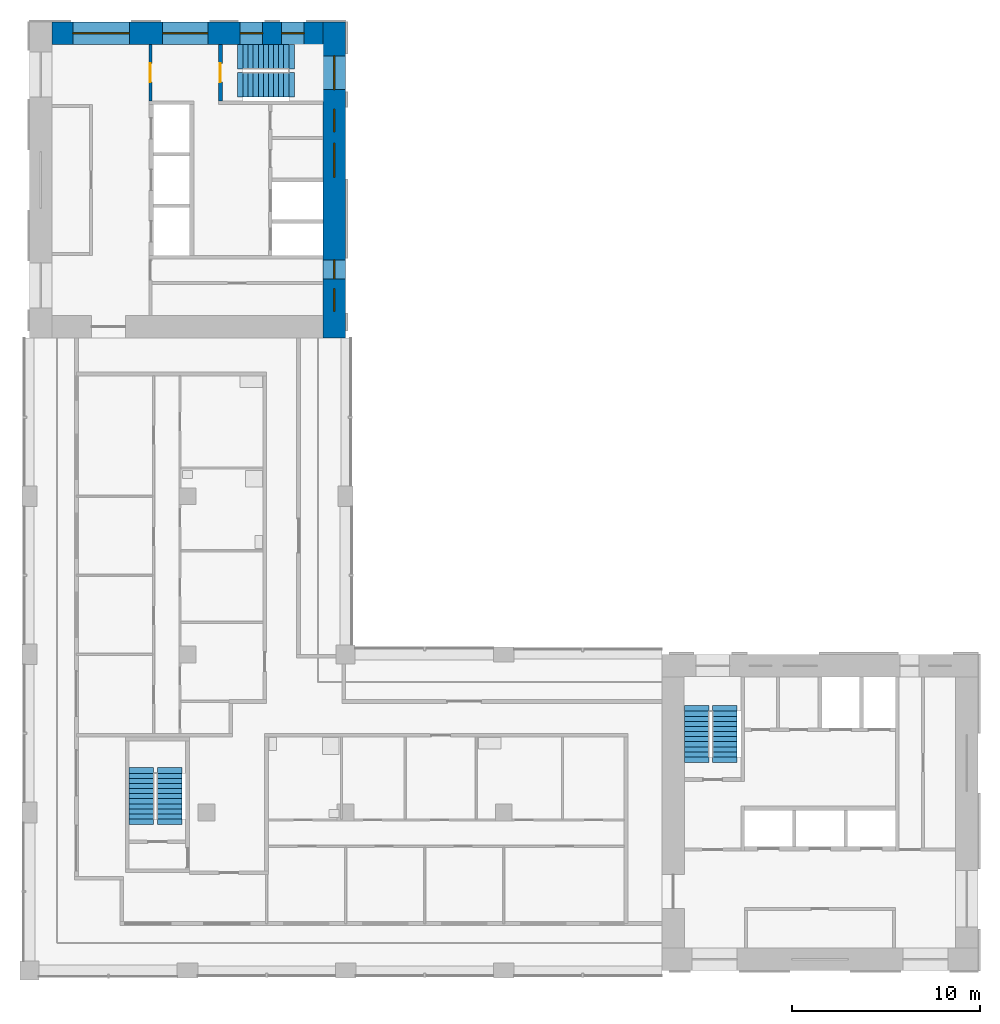
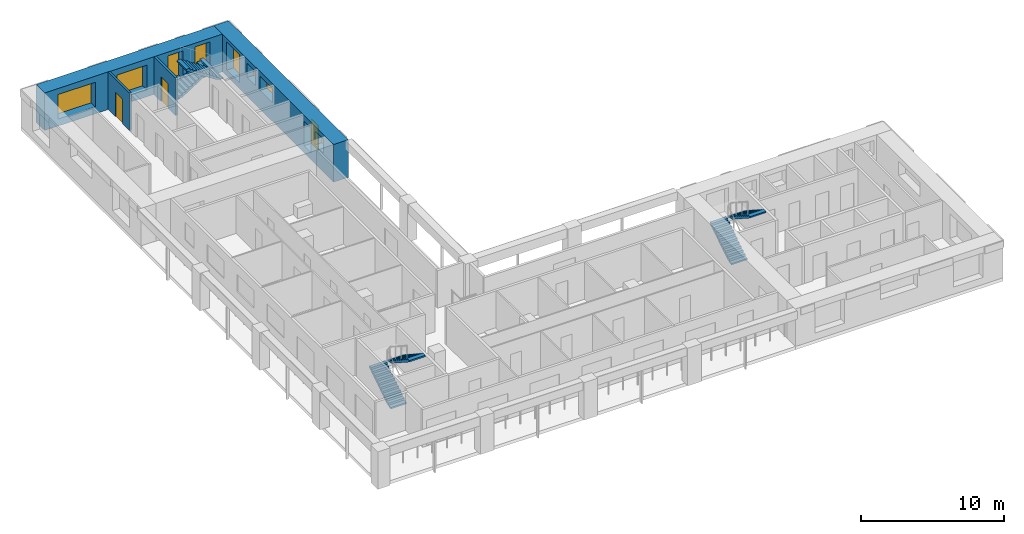
# One storey, part 6 of 9: 9 windows, 6 stair flights, 4 walls, 2 doors, 11 openings, 3 elements without a shape of their own.
"""IFC4 building model written with IfcOpenShell, lengths in metres."""

import ifcopenshell
import ifcopenshell.guid

model = None  # the IFC model being written
_history = None  # IfcOwnerHistory: only IFC2X3 demands one
_inside = {}  # id of a spatial element -> (the spatial element, [elements in it])
_under = {}  # id of a project, library or spatial element -> (it, [spatial elements below it])
_declared = {}  # id of a project -> (the project, [libraries it declares])
_typed = {}  # id of a type object -> (the type object, [elements of that type])
_made_of = {}  # id of a material, layer set ... -> (it, [elements and type objects made of it])


def new_model(schema):
    """Start an empty IFC model of exactly this schema.

    Asked for "IFC4X3", IfcOpenShell would pick the latest addendum, in which some entities
    have other attributes; the version numbers below select the first issue.
    IFC2X3 requires an IfcOwnerHistory on every rooted entity: one is made here for all.
    """
    global model, _history
    if schema == "IFC4X3":
        model = ifcopenshell.file(schema_version=(4, 3, 0, 0))
    else:
        model = ifcopenshell.file(schema=schema)
    _inside.clear()
    _under.clear()
    _declared.clear()
    _typed.clear()
    _made_of.clear()
    _history = None
    if model.schema == "IFC2X3":
        org = make("IfcOrganization", Name="unknown")
        user = make(
            "IfcPersonAndOrganization",
            ThePerson=make("IfcPerson", FamilyName="unknown"),
            TheOrganization=org,
        )
        app = make(
            "IfcApplication",
            ApplicationDeveloper=org,
            Version="unknown",
            ApplicationFullName="unknown",
            ApplicationIdentifier="unknown",
        )
        _history = make(
            "IfcOwnerHistory",
            OwningUser=user,
            OwningApplication=app,
            ChangeAction="ADDED",
            CreationDate=0,
        )
    return model


def make(cls, **values):
    """One entity of the class cls with the attributes given. An attribute that is None is left unset."""
    return model.create_entity(
        cls, **{name: value for name, value in values.items() if value is not None}
    )


def rooted(cls, **values):
    """An entity with a GlobalId (a new one), such as an element, a storey or a relation."""
    return make(cls, GlobalId=ifcopenshell.guid.new(), OwnerHistory=_history, **values)


def si_unit(unit_type, name, prefix=None):
    """IfcSIUnit, for example si_unit("LENGTHUNIT", "METRE", prefix="MILLI")."""
    return make("IfcSIUnit", UnitType=unit_type, Prefix=prefix, Name=name)


def assignment(units):
    """IfcUnitAssignment: the units of a project."""
    return None if units is None else make("IfcUnitAssignment", Units=units)


def point(xyz):
    """IfcCartesianPoint."""
    return None if xyz is None else make("IfcCartesianPoint", Coordinates=xyz)


def direction(xyz):
    """IfcDirection."""
    return None if xyz is None else make("IfcDirection", DirectionRatios=xyz)


def frame(location, z_axis=None, x_axis=None):
    """IfcAxis2Placement3D, a coordinate frame: its origin and axes. An axis left out is left unset."""
    return make(
        "IfcAxis2Placement3D",
        Location=point(location),
        Axis=direction(z_axis),
        RefDirection=direction(x_axis),
    )


def frame_2d(location, x_axis=None):
    """IfcAxis2Placement2D, a coordinate frame in the plane: its origin and x axis."""
    return make(
        "IfcAxis2Placement2D", Location=point(location), RefDirection=direction(x_axis)
    )


def origin():
    """The frame at (0, 0, 0) with its axes left unset."""
    return frame((0.0, 0.0, 0.0))


def place(relative_to, where):
    """IfcLocalPlacement: puts the frame where relative to a parent placement (None: the world)."""
    return make(
        "IfcLocalPlacement", PlacementRelTo=relative_to, RelativePlacement=where
    )


def context(
    kind, dimensions, precision=None, world=None, true_north=None, identifier=None
):
    """IfcGeometricRepresentationContext, for example the 3D "Model" context."""
    return make(
        "IfcGeometricRepresentationContext",
        ContextIdentifier=identifier,
        ContextType=kind,
        CoordinateSpaceDimension=dimensions,
        Precision=precision,
        WorldCoordinateSystem=world,
        TrueNorth=true_north,
    )


def subcontext(parent, identifier, kind, view, scale=None):
    """IfcGeometricRepresentationSubContext, for example "Body" below "Model"."""
    return make(
        "IfcGeometricRepresentationSubContext",
        ContextIdentifier=identifier,
        ContextType=kind,
        ParentContext=parent,
        TargetScale=scale,
        TargetView=view,
    )


def project(units=None, contexts=None):
    """IfcProject with its units and contexts."""
    return rooted(
        "IfcProject",
        Name="project",
        RepresentationContexts=contexts,
        UnitsInContext=assignment(units),
    )


def spatial(cls, under=None, at=None, **own):
    """A site, building, storey or space (cls), placed at a placement, below another one or the project."""
    s = rooted(cls, ObjectPlacement=at, **own)
    if under is not None:
        _under.setdefault(under.id(), (under, []))[1].append(s)
    return s


def polyline(points):
    """IfcPolyline through the points."""
    return make("IfcPolyline", Points=[point(p) for p in points])


def profile(cls, at=None, kind="AREA", **sizes):
    """A parametric profile (cls). Its sizes go by their IFC names, for example OverallWidth=200.0."""
    return make(cls, ProfileType=kind, Position=at, **sizes)


def rectangle(**sizes):
    """IfcRectangleProfileDef."""
    return profile("IfcRectangleProfileDef", **sizes)


def outline(outer, holes=None, kind="AREA"):
    """IfcArbitraryClosedProfileDef: a profile drawn as a closed curve; with holes, ...WithVoids."""
    if holes is None:
        return make("IfcArbitraryClosedProfileDef", ProfileType=kind, OuterCurve=outer)
    return make(
        "IfcArbitraryProfileDefWithVoids",
        ProfileType=kind,
        OuterCurve=outer,
        InnerCurves=holes,
    )


def extrude(swept, where, along, depth):
    """IfcExtrudedAreaSolid: the profile swept, set in the frame where, extruded along a direction by depth."""
    return make(
        "IfcExtrudedAreaSolid",
        SweptArea=swept,
        Position=where,
        ExtrudedDirection=direction(along),
        Depth=depth,
    )


def shape(context_of_items, identifier, shape_type, items):
    """IfcShapeRepresentation: the items that make up one representation, for example the "Body"."""
    return make(
        "IfcShapeRepresentation",
        ContextOfItems=context_of_items,
        RepresentationIdentifier=identifier,
        RepresentationType=shape_type,
        Items=items,
    )


def material(Name=None, Category=None):
    """IfcMaterial."""
    return make("IfcMaterial", Name=Name, Category=Category)


def layer(
    of_material, thickness, ventilated=None, Name=None, Category=None, Priority=None
):
    """IfcMaterialLayer: one layer of a wall or slab, of a material (None: an air gap)."""
    return make(
        "IfcMaterialLayer",
        Material=of_material,
        LayerThickness=thickness,
        IsVentilated=ventilated,
        Name=Name,
        Category=Category,
        Priority=Priority,
    )


def layer_set(layers, Name=None):
    """IfcMaterialLayerSet."""
    return make("IfcMaterialLayerSet", MaterialLayers=layers, LayerSetName=Name)


def made_of(thing, what):
    """Note that an element or type object is made of a material, layer set ...; save() writes the relation."""
    if what is not None:
        _made_of.setdefault(what.id(), (what, []))[1].append(thing)
    return thing


def type_object(cls, material=None, **own):
    """A type object (cls), such as IfcWallType, which elements share."""
    return made_of(rooted(cls, **own), material)


def element(
    cls,
    number,
    at=None,
    inside=None,
    cuts=None,
    type_object=None,
    material=None,
    context=None,
    identifier="Body",
    shape_type=None,
    held_by="IfcProductDefinitionShape",
    body=None,
    shapes=None,
    **own,
):
    """One element of the class cls, such as IfcWall. Its Tag is "e" and its number.

    at: its placement. inside: the storey or other place that contains it. cuts: it is an
    opening in that element (IfcRelVoidsElement). A single representation is given by context,
    identifier, shape_type and body (its items); several are given by shapes. held_by: the class
    of the entity that holds the representations. save() writes the other relations.
    """
    e = rooted(cls, Tag="e%d" % number, ObjectPlacement=at, **own)
    if body is not None:
        shapes = [shape(context, identifier, shape_type, body)]
    if shapes is not None:
        e.Representation = make(held_by, Representations=shapes)
    if inside is not None:
        _inside.setdefault(inside.id(), (inside, []))[1].append(e)
    if cuts is not None:
        rooted(
            "IfcRelVoidsElement", RelatingBuildingElement=cuts, RelatedOpeningElement=e
        )
    if type_object is not None:
        _typed.setdefault(type_object.id(), (type_object, []))[1].append(e)
    return made_of(e, material)


def fill(opening, filler):
    """IfcRelFillsElement: the door or window that sits in an opening."""
    return rooted(
        "IfcRelFillsElement",
        RelatingOpeningElement=opening,
        RelatedBuildingElement=filler,
    )


def aggregate(whole, parts):
    """IfcRelAggregates: a whole, such as a stair, and the parts it consists of."""
    return rooted("IfcRelAggregates", RelatingObject=whole, RelatedObjects=parts)


def save(model, path):
    """Write the relations noted so far, then the file.

    IfcRelAggregates (storeys below a building ...), IfcRelContainedInSpatialStructure (elements
    in a storey), IfcRelDefinesByType, IfcRelAssociatesMaterial and IfcRelDeclares: one each for
    every whole, place, type object, material and project.
    """
    for whole, parts in _under.values():
        aggregate(whole, parts)
    for where, things in _inside.values():
        rooted(
            "IfcRelContainedInSpatialStructure",
            RelatedElements=things,
            RelatingStructure=where,
        )
    for kind, things in _typed.values():
        rooted("IfcRelDefinesByType", RelatedObjects=things, RelatingType=kind)
    for what, things in _made_of.values():
        rooted("IfcRelAssociatesMaterial", RelatedObjects=things, RelatingMaterial=what)
    for by, libraries in _declared.values():
        rooted("IfcRelDeclares", RelatingContext=by, RelatedDefinitions=libraries)
    model.write(path)


model = new_model("IFC4")

# Units and contexts
model_context = context("Model", 3, precision=1e-05, world=origin(), true_north=direction((0.0, 1.0)))
body_context = subcontext(model_context, "Body", "Model", "MODEL_VIEW")
ifc_project = project(units=[si_unit("LENGTHUNIT", "METRE"), si_unit("AREAUNIT", "SQUARE_METRE"), si_unit("VOLUMEUNIT", "CUBIC_METRE"), si_unit("PLANEANGLEUNIT", "RADIAN"), si_unit("MASSUNIT", "GRAM", prefix="KILO")], contexts=[model_context])

# Site, building, storey
site_placement = place(None, origin())
site = spatial("IfcSite", under=ifc_project, at=site_placement, CompositionType="ELEMENT")
building_placement = place(site_placement, origin())
building = spatial("IfcBuilding", under=site, at=building_placement, Name="Vermilion Gate Residences", CompositionType="ELEMENT")
storey_placement = place(building_placement, frame((0.0, 0.0, 245.699951171875)))
storey = spatial("IfcBuildingStorey", under=building, at=storey_placement, Name="L64", CompositionType="ELEMENT", Elevation=245.699951171875)

# Wall, opening, door
ifc_material_1 = material(Name="Masonry blockwork", Category="masonry")
ifc_layer_1 = layer(ifc_material_1, 0.14990234375)
ifc_layer_set_1 = layer_set([ifc_layer_1], Name="BLOCKWORK PARTITION 150 EI 120")
wall_type_1 = type_object("IfcWallType", Name="BLOCKWORK PARTITION 150 EI 120", PredefinedType="PARTITIONING", material=ifc_layer_set_1)
wall_1_placement = place(storey_placement, frame((14.824951171875, 57.60009765625, 0.0), z_axis=(0.0, 0.0, 1.0), x_axis=(0.0, -1.0, 0.0)))
wall_1 = element("IfcWall", 1, at=wall_1_placement, inside=storey, type_object=wall_type_1, Name="Core room partition B64-VW-S", PredefinedType="PARTITIONING", context=body_context, shape_type="SweptSolid", body=[
    extrude(rectangle(XDim=3.0, YDim=0.14990234375, at=frame_2d((1.5, 0.0))), origin(), (0.0, 0.0, 1.0), 3.219970703125),
])
opening_1_placement = place(wall_1_placement, frame((1.0, 0.0, 0.0)))
opening_1 = element("IfcOpeningElement", 2, at=opening_1_placement, cuts=wall_1, Name="Opening DK64110", PredefinedType="OPENING", context=body_context, shape_type="SweptSolid", body=[
    extrude(rectangle(XDim=1.0, YDim=2.10009765625, at=frame_2d((0.5, 1.050048828125))), frame((0.0, 0.0849609375, 0.0), z_axis=(0.0, -1.0, 0.0), x_axis=(1.0, 0.0, 0.0)), (0.0, 0.0, 1.0), 0.169921875),
])
ifc_material_2 = material(Name="Steel", Category="steel")
door_type = type_object("IfcDoorType", Name="FIRE DOOR FD60 1000 X 2100", OperationType="SINGLE_SWING_LEFT", PredefinedType="DOOR", material=ifc_material_2)
door_1_placement = place(opening_1_placement, frame((1.0, 0.0, 0.0), z_axis=(0.0, 0.0, 1.0), x_axis=(-1.0, 0.0, 0.0)))
door_1 = element("IfcDoor", 3, at=door_1_placement, inside=storey, type_object=door_type, Name="Stair vestibule door B64", OperationType="SINGLE_SWING_RIGHT", OverallHeight=2.10009765625, OverallWidth=1.0, PredefinedType="DOOR", context=body_context, shape_type="SweptSolid", body=[
    extrude(rectangle(XDim=1.0, YDim=2.10009765625, at=frame_2d((0.5, 1.050048828125))), frame((0.0, 0.02490234375, 0.0), z_axis=(0.0, -1.0, 0.0), x_axis=(1.0, 0.0, 0.0)), (0.0, 0.0, 1.0), 0.050048828125),
])
fill(opening_1, door_1)

ifc_material_3 = material(Name="Concrete C60", Category="concrete")
ifc_layer_2 = layer(ifc_material_3, 0.199951171875)
ifc_layer_set_2 = layer_set([ifc_layer_2], Name="RC CORE INTERNAL WALL 200 C60")
wall_type_2 = type_object("IfcWallType", Name="RC CORE INTERNAL WALL 200 C60", PredefinedType="SHEAR", material=ifc_layer_set_2)
wall_2_placement = place(storey_placement, frame((18.550048828125, 57.60009765625, 0.0), z_axis=(0.0, 0.0, 1.0), x_axis=(0.0, -1.0, 0.0)))
wall_2 = element("IfcWall", 4, at=wall_2_placement, inside=storey, type_object=wall_type_2, Name="Core internal wall B64-STW-S", PredefinedType="SHEAR", context=body_context, shape_type="SweptSolid", body=[
    extrude(rectangle(XDim=3.0, YDim=0.199951171875, at=frame_2d((1.5, 0.0))), origin(), (0.0, 0.0, 1.0), 3.219970703125),
])
opening_2_placement = place(wall_2_placement, frame((1.0, 0.0, 0.0)))
opening_2 = element("IfcOpeningElement", 5, at=opening_2_placement, cuts=wall_2, Name="Opening DK64111", PredefinedType="OPENING", context=body_context, shape_type="SweptSolid", body=[
    extrude(rectangle(XDim=1.0, YDim=2.10009765625, at=frame_2d((0.5, 1.050048828125))), frame((0.0, 0.10986328125, 0.0), z_axis=(0.0, -1.0, 0.0), x_axis=(1.0, 0.0, 0.0)), (0.0, 0.0, 1.0), 0.219970703125),
])
door_2_placement = place(opening_2_placement, origin())
door_2 = element("IfcDoor", 6, at=door_2_placement, inside=storey, type_object=door_type, Name="Stair door B64", OperationType="SINGLE_SWING_LEFT", OverallHeight=2.10009765625, OverallWidth=1.0, PredefinedType="DOOR", context=body_context, shape_type="SweptSolid", body=[
    extrude(rectangle(XDim=1.0, YDim=2.10009765625, at=frame_2d((0.5, 1.050048828125))), frame((0.0, 0.02490234375, 0.0), z_axis=(0.0, -1.0, 0.0), x_axis=(1.0, 0.0, 0.0)), (0.0, 0.0, 1.0), 0.050048828125),
])
fill(opening_2, door_2)

# Wall, openings, windows
ifc_material_4 = material(Name="Concrete C50 red-oxide pigmented", Category="concrete")
ifc_layer_3 = layer(ifc_material_4, 1.199951171875)
ifc_layer_set_3 = layer_set([ifc_layer_3], Name="RC CORE WALL 1200 C50 RED OXIDE")
wall_type_3 = type_object("IfcWallType", Name="RC CORE WALL 1200 C50 RED OXIDE", PredefinedType="SHEAR", material=ifc_layer_set_3)
wall_3_placement = place(storey_placement, frame((24.60009765625, 58.800048828125, 0.0), z_axis=(0.0, 0.0, 1.0), x_axis=(0.0, -1.0, 0.0)))
wall_3 = element("IfcWall", 7, at=wall_3_placement, inside=storey, type_object=wall_type_3, Name="Core wall B64-OUT-B1", PredefinedType="SHEAR", context=body_context, shape_type="SweptSolid", body=[
    extrude(rectangle(XDim=16.800048828125, YDim=1.199951171875, at=frame_2d((8.39990234375, 0.0))), origin(), (0.0, 0.0, 1.0), 3.219970703125),
])
opening_3_placement = place(wall_3_placement, frame((1.800048828125, 0.0, 0.5)))
opening_3 = element("IfcOpeningElement", 8, at=opening_3_placement, cuts=wall_3, Name="Opening WKB6404", PredefinedType="OPENING", context=body_context, shape_type="SweptSolid", body=[
    extrude(rectangle(XDim=1.800048828125, YDim=2.39990234375, at=frame_2d((0.89990234375, 1.199951171875))), frame((0.0, 0.60986328125, 0.0), z_axis=(0.0, -1.0, 0.0), x_axis=(1.0, 0.0, 0.0)), (0.0, 0.0, 1.0), 1.219970703125),
])
opening_4_placement = place(wall_3_placement, frame((4.643798828125, 0.0, 1.60009765625)))
opening_4 = element("IfcOpeningElement", 9, at=opening_4_placement, cuts=wall_3, Name="Opening WKB6405", PredefinedType="OPENING", context=body_context, shape_type="SweptSolid", body=[
    extrude(rectangle(XDim=1.199951171875, YDim=1.199951171875, at=frame_2d((0.60009765625, 0.60009765625))), frame((0.0, 0.60986328125, 0.0), z_axis=(0.0, -1.0, 0.0), x_axis=(1.0, 0.0, 0.0)), (0.0, 0.0, 1.0), 1.219970703125),
])
opening_5_placement = place(wall_3_placement, frame((6.449951171875, 0.0, 1.60009765625)))
opening_5 = element("IfcOpeningElement", 10, at=opening_5_placement, cuts=wall_3, Name="Opening WKB6406", PredefinedType="OPENING", context=body_context, shape_type="SweptSolid", body=[
    extrude(rectangle(XDim=1.800048828125, YDim=1.199951171875, at=frame_2d((0.89990234375, 0.60009765625))), frame((0.0, 0.60986328125, 0.0), z_axis=(0.0, -1.0, 0.0), x_axis=(1.0, 0.0, 0.0)), (0.0, 0.0, 1.0), 1.219970703125),
])
opening_6_placement = place(wall_3_placement, frame((12.64990234375, 0.0, 0.60009765625)))
opening_6 = element("IfcOpeningElement", 11, at=opening_6_placement, cuts=wall_3, Name="Opening WKB6407", PredefinedType="OPENING", context=body_context, shape_type="SweptSolid", body=[
    extrude(rectangle(XDim=1.0, YDim=2.10009765625, at=frame_2d((0.5, 1.050048828125))), frame((0.0, 0.60986328125, 0.0), z_axis=(0.0, -1.0, 0.0), x_axis=(1.0, 0.0, 0.0)), (0.0, 0.0, 1.0), 1.219970703125),
])
opening_7_placement = place(wall_3_placement, frame((14.175048828125, 0.0, 1.60009765625)))
opening_7 = element("IfcOpeningElement", 12, at=opening_7_placement, cuts=wall_3, Name="Opening WKB6408", PredefinedType="OPENING", context=body_context, shape_type="SweptSolid", body=[
    extrude(rectangle(XDim=1.199951171875, YDim=1.199951171875, at=frame_2d((0.60009765625, 0.60009765625))), frame((0.0, 0.60986328125, 0.0), z_axis=(0.0, -1.0, 0.0), x_axis=(1.0, 0.0, 0.0)), (0.0, 0.0, 1.0), 1.219970703125),
])
ifc_material_5 = material(Name="Aluminium and clear glass", Category="aluminium")
window_type_1 = type_object("IfcWindowType", Name="CORE CORRIDOR WINDOW 1000 X 2100", PartitioningType="SINGLE_PANEL", PredefinedType="WINDOW", material=ifc_material_5)
window_1_placement = place(opening_6_placement, origin())
window_1 = element("IfcWindow", 13, at=window_1_placement, inside=storey, type_object=window_type_1, Name="Core corridor window", OverallHeight=2.10009765625, OverallWidth=1.0, PartitioningType="SINGLE_PANEL", PredefinedType="WINDOW", context=body_context, shape_type="SweptSolid", body=[
    extrude(rectangle(XDim=1.0, YDim=2.10009765625, at=frame_2d((0.5, 1.050048828125))), frame((0.0, 0.030029296875, 0.0), z_axis=(0.0, -1.0, 0.0), x_axis=(1.0, 0.0, 0.0)), (0.0, 0.0, 1.0), 0.06005859375),
])
fill(opening_6, window_1)
ifc_material_6 = material(Name="Aluminium frame with louvre blades", Category="aluminium")
window_type_2 = type_object("IfcWindowType", Name="CORE LOUVRE 1200 X 1200", PartitioningType="SINGLE_PANEL", PredefinedType="WINDOW", material=ifc_material_6)
window_2_placement = place(opening_4_placement, origin())
window_2 = element("IfcWindow", 14, at=window_2_placement, inside=storey, type_object=window_type_2, Name="Core louvre", OverallHeight=1.199951171875, OverallWidth=1.199951171875, PartitioningType="SINGLE_PANEL", PredefinedType="WINDOW", context=body_context, shape_type="SweptSolid", body=[
    extrude(rectangle(XDim=1.199951171875, YDim=1.199951171875, at=frame_2d((0.60009765625, 0.60009765625))), frame((0.0, 0.030029296875, 0.0), z_axis=(0.0, -1.0, 0.0), x_axis=(1.0, 0.0, 0.0)), (0.0, 0.0, 1.0), 0.06005859375),
])
fill(opening_4, window_2)
window_3_placement = place(opening_7_placement, origin())
window_3 = element("IfcWindow", 15, at=window_3_placement, inside=storey, type_object=window_type_2, Name="Core louvre", OverallHeight=1.199951171875, OverallWidth=1.199951171875, PartitioningType="SINGLE_PANEL", PredefinedType="WINDOW", context=body_context, shape_type="SweptSolid", body=[
    extrude(rectangle(XDim=1.199951171875, YDim=1.199951171875, at=frame_2d((0.60009765625, 0.60009765625))), frame((0.0, 0.030029296875, 0.0), z_axis=(0.0, -1.0, 0.0), x_axis=(1.0, 0.0, 0.0)), (0.0, 0.0, 1.0), 0.06005859375),
])
fill(opening_7, window_3)
ifc_material_7 = material(Name="Aluminium frame with louvre blades", Category="aluminium")
window_type_3 = type_object("IfcWindowType", Name="CORE LOUVRE 1800 X 1200", PartitioningType="SINGLE_PANEL", PredefinedType="WINDOW", material=ifc_material_7)
window_4_placement = place(opening_5_placement, origin())
window_4 = element("IfcWindow", 16, at=window_4_placement, inside=storey, type_object=window_type_3, Name="Core louvre", OverallHeight=1.199951171875, OverallWidth=1.800048828125, PartitioningType="SINGLE_PANEL", PredefinedType="WINDOW", context=body_context, shape_type="SweptSolid", body=[
    extrude(rectangle(XDim=1.800048828125, YDim=1.199951171875, at=frame_2d((0.89990234375, 0.60009765625))), frame((0.0, 0.030029296875, 0.0), z_axis=(0.0, -1.0, 0.0), x_axis=(1.0, 0.0, 0.0)), (0.0, 0.0, 1.0), 0.06005859375),
])
fill(opening_5, window_4)
ifc_material_8 = material(Name="Aluminium and clear glass", Category="aluminium")
window_type_4 = type_object("IfcWindowType", Name="CORE STAIR WINDOW 1800 X 2400", PartitioningType="SINGLE_PANEL", PredefinedType="WINDOW", material=ifc_material_8)
window_5_placement = place(opening_3_placement, origin())
window_5 = element("IfcWindow", 17, at=window_5_placement, inside=storey, type_object=window_type_4, Name="Core stair window", OverallHeight=2.39990234375, OverallWidth=1.800048828125, PartitioningType="SINGLE_PANEL", PredefinedType="WINDOW", context=body_context, shape_type="SweptSolid", body=[
    extrude(rectangle(XDim=1.800048828125, YDim=2.39990234375, at=frame_2d((0.89990234375, 1.199951171875))), frame((0.0, 0.030029296875, 0.0), z_axis=(0.0, -1.0, 0.0), x_axis=(1.0, 0.0, 0.0)), (0.0, 0.0, 1.0), 0.06005859375),
])
fill(opening_3, window_5)

wall_4_placement = place(storey_placement, frame((9.60009765625, 58.199951171875, 0.0), z_axis=(0.0, 0.0, 1.0), x_axis=(1.0, 0.0, 0.0)))
wall_4 = element("IfcWall", 18, at=wall_4_placement, inside=storey, type_object=wall_type_3, Name="Core wall B64-OUT-FR", PredefinedType="SHEAR", context=body_context, shape_type="SweptSolid", body=[
    extrude(rectangle(XDim=14.39990234375, YDim=1.199951171875, at=frame_2d((7.199951171875, 0.0))), origin(), (0.0, 0.0, 1.0), 3.219970703125),
])
opening_8_placement = place(wall_4_placement, frame((1.10498046875, 0.0, 0.60009765625)))
opening_8 = element("IfcOpeningElement", 19, at=opening_8_placement, cuts=wall_4, Name="Opening WKB6409", PredefinedType="OPENING", context=body_context, shape_type="SweptSolid", body=[
    extrude(rectangle(XDim=3.0, YDim=2.10009765625, at=frame_2d((1.5, 1.050048828125))), frame((0.0, 0.60986328125, 0.0), z_axis=(0.0, -1.0, 0.0), x_axis=(1.0, 0.0, 0.0)), (0.0, 0.0, 1.0), 1.219970703125),
])
opening_9_placement = place(wall_4_placement, frame((5.875, 0.0, 0.60009765625)))
opening_9 = element("IfcOpeningElement", 20, at=opening_9_placement, cuts=wall_4, Name="Opening WKB6410", PredefinedType="OPENING", context=body_context, shape_type="SweptSolid", body=[
    extrude(rectangle(XDim=2.39990234375, YDim=2.10009765625, at=frame_2d((1.199951171875, 1.050048828125))), frame((0.0, 0.60986328125, 0.0), z_axis=(0.0, -1.0, 0.0), x_axis=(1.0, 0.0, 0.0)), (0.0, 0.0, 1.0), 1.219970703125),
])
opening_10_placement = place(wall_4_placement, frame((9.993408203125, 0.0, 0.5)))
opening_10 = element("IfcOpeningElement", 21, at=opening_10_placement, cuts=wall_4, Name="Opening WKB6411", PredefinedType="OPENING", context=body_context, shape_type="SweptSolid", body=[
    extrude(rectangle(XDim=1.199951171875, YDim=2.39990234375, at=frame_2d((0.60009765625, 1.199951171875))), frame((0.0, 0.60986328125, 0.0), z_axis=(0.0, -1.0, 0.0), x_axis=(1.0, 0.0, 0.0)), (0.0, 0.0, 1.0), 1.219970703125),
])
opening_11_placement = place(wall_4_placement, frame((12.19677734375, 0.0, 0.5)))
opening_11 = element("IfcOpeningElement", 22, at=opening_11_placement, cuts=wall_4, Name="Opening WKB6412", PredefinedType="OPENING", context=body_context, shape_type="SweptSolid", body=[
    extrude(rectangle(XDim=1.199951171875, YDim=2.39990234375, at=frame_2d((0.60009765625, 1.199951171875))), frame((0.0, 0.60986328125, 0.0), z_axis=(0.0, -1.0, 0.0), x_axis=(1.0, 0.0, 0.0)), (0.0, 0.0, 1.0), 1.219970703125),
])
ifc_material_9 = material(Name="Aluminium and clear glass", Category="aluminium")
window_type_5 = type_object("IfcWindowType", Name="CORE LOBBY WINDOW 2400 X 2100", PartitioningType="SINGLE_PANEL", PredefinedType="WINDOW", material=ifc_material_9)
window_6_placement = place(opening_9_placement, origin())
window_6 = element("IfcWindow", 23, at=window_6_placement, inside=storey, type_object=window_type_5, Name="Core lobby window", OverallHeight=2.10009765625, OverallWidth=2.39990234375, PartitioningType="SINGLE_PANEL", PredefinedType="WINDOW", context=body_context, shape_type="SweptSolid", body=[
    extrude(rectangle(XDim=2.39990234375, YDim=2.10009765625, at=frame_2d((1.199951171875, 1.050048828125))), frame((0.0, 0.030029296875, 0.0), z_axis=(0.0, -1.0, 0.0), x_axis=(1.0, 0.0, 0.0)), (0.0, 0.0, 1.0), 0.06005859375),
])
fill(opening_9, window_6)
ifc_material_10 = material(Name="Aluminium and clear glass", Category="aluminium")
window_type_6 = type_object("IfcWindowType", Name="CORE LOBBY WINDOW 3000 X 2100", PartitioningType="SINGLE_PANEL", PredefinedType="WINDOW", material=ifc_material_10)
window_7_placement = place(opening_8_placement, origin())
window_7 = element("IfcWindow", 24, at=window_7_placement, inside=storey, type_object=window_type_6, Name="Core lobby window", OverallHeight=2.10009765625, OverallWidth=3.0, PartitioningType="SINGLE_PANEL", PredefinedType="WINDOW", context=body_context, shape_type="SweptSolid", body=[
    extrude(rectangle(XDim=3.0, YDim=2.10009765625, at=frame_2d((1.5, 1.050048828125))), frame((0.0, 0.030029296875, 0.0), z_axis=(0.0, -1.0, 0.0), x_axis=(1.0, 0.0, 0.0)), (0.0, 0.0, 1.0), 0.06005859375),
])
fill(opening_8, window_7)
ifc_material_11 = material(Name="Aluminium and clear glass", Category="aluminium")
window_type_7 = type_object("IfcWindowType", Name="CORE STAIR WINDOW 1200 X 2400", PartitioningType="SINGLE_PANEL", PredefinedType="WINDOW", material=ifc_material_11)
window_8_placement = place(opening_10_placement, origin())
window_8 = element("IfcWindow", 25, at=window_8_placement, inside=storey, type_object=window_type_7, Name="Core stair window", OverallHeight=2.39990234375, OverallWidth=1.199951171875, PartitioningType="SINGLE_PANEL", PredefinedType="WINDOW", context=body_context, shape_type="SweptSolid", body=[
    extrude(rectangle(XDim=1.199951171875, YDim=2.39990234375, at=frame_2d((0.60009765625, 1.199951171875))), frame((0.0, 0.030029296875, 0.0), z_axis=(0.0, -1.0, 0.0), x_axis=(1.0, 0.0, 0.0)), (0.0, 0.0, 1.0), 0.06005859375),
])
fill(opening_10, window_8)
window_9_placement = place(opening_11_placement, origin())
window_9 = element("IfcWindow", 26, at=window_9_placement, inside=storey, type_object=window_type_7, Name="Core stair window", OverallHeight=2.39990234375, OverallWidth=1.199951171875, PartitioningType="SINGLE_PANEL", PredefinedType="WINDOW", context=body_context, shape_type="SweptSolid", body=[
    extrude(rectangle(XDim=1.199951171875, YDim=2.39990234375, at=frame_2d((0.60009765625, 1.199951171875))), frame((0.0, 0.030029296875, 0.0), z_axis=(0.0, -1.0, 0.0), x_axis=(1.0, 0.0, 0.0)), (0.0, 0.0, 1.0), 0.06005859375),
])
fill(opening_11, window_9)

# Stair, stair flights
ifc_material_12 = material(Name="Concrete C50", Category="concrete")
stair_type = type_object("IfcStairType", Name="SPECIAL ESCAPE STAIR 1300", PredefinedType="HALF_TURN_STAIR", material=ifc_material_12)
stair_1_placement = place(storey_placement, origin())
stair_1 = element("IfcStair", 27, at=stair_1_placement, inside=storey, type_object=stair_type, Name="Special escape stair STA1-64", PredefinedType="HALF_TURN_STAIR")
ifc_material_13 = material(Name="Concrete C50", Category="concrete")
stair_flight_type = type_object("IfcStairFlightType", Name="STAIR FLIGHT 1300 RC C50", PredefinedType="STRAIGHT", material=ifc_material_13)
stair_flight_1_placement = place(storey_placement, frame((43.85009765625, 19.75, 0.0), z_axis=(0.0, 0.0, 1.0), x_axis=(0.0, 1.0, 0.0)))
stair_flight_1 = element("IfcStairFlight", 28, at=stair_flight_1_placement, type_object=stair_flight_type, Name="STA1-64 flight 1", NumberOfRisers=10, NumberOfTreads=9, PredefinedType="STRAIGHT", RiserHeight=0.175, TreadLength=0.27, context=body_context, shape_type="SweptSolid", body=[
    extrude(outline(polyline([(-0.300048828125, -0.14990234375), (-0.300048828125, -0.030029296875), (0.0, 0.0), (0.0, 0.175048828125), (0.27001953125, 0.175048828125), (0.27001953125, 0.35009765625), (0.5400390625, 0.35009765625), (0.5400390625, 0.52490234375), (0.81005859375, 0.52490234375), (0.81005859375, 0.699951171875), (1.080078125, 0.699951171875), (1.080078125, 0.875), (1.35009765625, 0.875), (1.35009765625, 1.050048828125), (1.6201171875, 1.050048828125), (1.6201171875, 1.22509765625), (1.889892578125, 1.22509765625), (1.889892578125, 1.39990234375), (2.159912109375, 1.39990234375), (2.159912109375, 1.574951171875), (2.429931640625, 1.574951171875), (2.429931640625, 1.75), (2.72998046875, 1.719970703125), (2.72998046875, 1.60009765625), (2.429931640625, 1.396484375), (0.275634765625, 0.0), (-0.300048828125, -0.14990234375)])), frame((0.0, 0.64990234375, 0.0), z_axis=(0.0, -1.0, 0.0), x_axis=(1.0, 0.0, 0.0)), (0.0, 0.0, 1.0), 1.300048828125),
])
stair_flight_2_placement = place(storey_placement, frame((45.35009765625, 22.179931640625, 1.75), z_axis=(0.0, 0.0, 1.0), x_axis=(0.0, -1.0, 0.0)))
stair_flight_2 = element("IfcStairFlight", 29, at=stair_flight_2_placement, type_object=stair_flight_type, Name="STA1-64 flight 2", NumberOfRisers=10, NumberOfTreads=9, PredefinedType="STRAIGHT", RiserHeight=0.175, TreadLength=0.27, context=body_context, shape_type="SweptSolid", body=[
    extrude(outline(polyline([(-0.300048828125, -0.14990234375), (-0.300048828125, -0.030029296875), (0.0, 0.0), (0.0, 0.175048828125), (0.27001953125, 0.175048828125), (0.27001953125, 0.35009765625), (0.5400390625, 0.35009765625), (0.5400390625, 0.52490234375), (0.81005859375, 0.52490234375), (0.81005859375, 0.699951171875), (1.080078125, 0.699951171875), (1.080078125, 0.875), (1.35009765625, 0.875), (1.35009765625, 1.050048828125), (1.6201171875, 1.050048828125), (1.6201171875, 1.22509765625), (1.889892578125, 1.22509765625), (1.889892578125, 1.39990234375), (2.159912109375, 1.39990234375), (2.159912109375, 1.574951171875), (2.429931640625, 1.574951171875), (2.429931640625, 1.75), (2.72998046875, 1.719970703125), (2.72998046875, 1.60009765625), (2.429931640625, 1.396484375), (0.275634765625, 0.0), (-0.300048828125, -0.14990234375)])), frame((0.0, 0.64990234375, 0.0), z_axis=(0.0, -1.0, 0.0), x_axis=(1.0, 0.0, 0.0)), (0.0, 0.0, 1.0), 1.300048828125),
])
aggregate(stair_1, [stair_flight_1, stair_flight_2])

stair_2_placement = place(storey_placement, origin())
stair_2 = element("IfcStair", 30, at=stair_2_placement, inside=storey, type_object=stair_type, Name="Special escape stair STB1-64", PredefinedType="HALF_TURN_STAIR")
stair_flight_3_placement = place(storey_placement, frame((19.75, 56.949951171875, 0.0), z_axis=(0.0, 0.0, 1.0), x_axis=(1.0, 0.0, 0.0)))
stair_flight_3 = element("IfcStairFlight", 31, at=stair_flight_3_placement, type_object=stair_flight_type, Name="STB1-64 flight 1", NumberOfRisers=10, NumberOfTreads=9, PredefinedType="STRAIGHT", RiserHeight=0.175, TreadLength=0.27, context=body_context, shape_type="SweptSolid", body=[
    extrude(outline(polyline([(-0.300048828125, -0.14990234375), (-0.300048828125, -0.030029296875), (0.0, 0.0), (0.0, 0.175048828125), (0.27001953125, 0.175048828125), (0.27001953125, 0.35009765625), (0.5400390625, 0.35009765625), (0.5400390625, 0.52490234375), (0.81005859375, 0.52490234375), (0.81005859375, 0.699951171875), (1.080078125, 0.699951171875), (1.080078125, 0.875), (1.35009765625, 0.875), (1.35009765625, 1.050048828125), (1.6201171875, 1.050048828125), (1.6201171875, 1.22509765625), (1.889892578125, 1.22509765625), (1.889892578125, 1.39990234375), (2.159912109375, 1.39990234375), (2.159912109375, 1.574951171875), (2.429931640625, 1.574951171875), (2.429931640625, 1.75), (2.72998046875, 1.719970703125), (2.72998046875, 1.60009765625), (2.429931640625, 1.396484375), (0.275634765625, 0.0), (-0.300048828125, -0.14990234375)])), frame((0.0, 0.64990234375, 0.0), z_axis=(0.0, -1.0, 0.0), x_axis=(1.0, 0.0, 0.0)), (0.0, 0.0, 1.0), 1.300048828125),
])
stair_flight_4_placement = place(storey_placement, frame((22.179931640625, 55.449951171875, 1.75), z_axis=(0.0, 0.0, 1.0), x_axis=(-1.0, 0.0, 0.0)))
stair_flight_4 = element("IfcStairFlight", 32, at=stair_flight_4_placement, type_object=stair_flight_type, Name="STB1-64 flight 2", NumberOfRisers=10, NumberOfTreads=9, PredefinedType="STRAIGHT", RiserHeight=0.175, TreadLength=0.27, context=body_context, shape_type="SweptSolid", body=[
    extrude(outline(polyline([(-0.300048828125, -0.14990234375), (-0.300048828125, -0.030029296875), (0.0, 0.0), (0.0, 0.175048828125), (0.27001953125, 0.175048828125), (0.27001953125, 0.35009765625), (0.5400390625, 0.35009765625), (0.5400390625, 0.52490234375), (0.81005859375, 0.52490234375), (0.81005859375, 0.699951171875), (1.080078125, 0.699951171875), (1.080078125, 0.875), (1.35009765625, 0.875), (1.35009765625, 1.050048828125), (1.6201171875, 1.050048828125), (1.6201171875, 1.22509765625), (1.889892578125, 1.22509765625), (1.889892578125, 1.39990234375), (2.159912109375, 1.39990234375), (2.159912109375, 1.574951171875), (2.429931640625, 1.574951171875), (2.429931640625, 1.75), (2.72998046875, 1.719970703125), (2.72998046875, 1.60009765625), (2.429931640625, 1.396484375), (0.275634765625, 0.0), (-0.300048828125, -0.14990234375)])), frame((0.0, 0.64990234375, 0.0), z_axis=(0.0, -1.0, 0.0), x_axis=(1.0, 0.0, 0.0)), (0.0, 0.0, 1.0), 1.300048828125),
])
aggregate(stair_2, [stair_flight_3, stair_flight_4])

stair_3_placement = place(storey_placement, origin())
stair_3 = element("IfcStair", 33, at=stair_3_placement, inside=storey, type_object=stair_type, Name="Special escape stair STC1-64", PredefinedType="HALF_TURN_STAIR")
stair_flight_5_placement = place(storey_placement, frame((14.35009765625, 16.449951171875, 0.0), z_axis=(0.0, 0.0, 1.0), x_axis=(0.0, 1.0, 0.0)))
stair_flight_5 = element("IfcStairFlight", 34, at=stair_flight_5_placement, type_object=stair_flight_type, Name="STC1-64 flight 1", NumberOfRisers=10, NumberOfTreads=9, PredefinedType="STRAIGHT", RiserHeight=0.175, TreadLength=0.27, context=body_context, shape_type="SweptSolid", body=[
    extrude(outline(polyline([(-0.300048828125, -0.14990234375), (-0.300048828125, -0.030029296875), (0.0, 0.0), (0.0, 0.175048828125), (0.27001953125, 0.175048828125), (0.27001953125, 0.35009765625), (0.5400390625, 0.35009765625), (0.5400390625, 0.52490234375), (0.81005859375, 0.52490234375), (0.81005859375, 0.699951171875), (1.080078125, 0.699951171875), (1.080078125, 0.875), (1.35009765625, 0.875), (1.35009765625, 1.050048828125), (1.6201171875, 1.050048828125), (1.6201171875, 1.22509765625), (1.889892578125, 1.22509765625), (1.889892578125, 1.39990234375), (2.159912109375, 1.39990234375), (2.159912109375, 1.574951171875), (2.429931640625, 1.574951171875), (2.429931640625, 1.75), (2.72998046875, 1.719970703125), (2.72998046875, 1.60009765625), (2.429931640625, 1.396484375), (0.275634765625, 0.0), (-0.300048828125, -0.14990234375)])), frame((0.0, 0.64990234375, 0.0), z_axis=(0.0, -1.0, 0.0), x_axis=(1.0, 0.0, 0.0)), (0.0, 0.0, 1.0), 1.300048828125),
])
stair_flight_6_placement = place(storey_placement, frame((15.85009765625, 18.8798828125, 1.75), z_axis=(0.0, 0.0, 1.0), x_axis=(0.0, -1.0, 0.0)))
stair_flight_6 = element("IfcStairFlight", 35, at=stair_flight_6_placement, type_object=stair_flight_type, Name="STC1-64 flight 2", NumberOfRisers=10, NumberOfTreads=9, PredefinedType="STRAIGHT", RiserHeight=0.175, TreadLength=0.27, context=body_context, shape_type="SweptSolid", body=[
    extrude(outline(polyline([(-0.300048828125, -0.14990234375), (-0.300048828125, -0.030029296875), (0.0, 0.0), (0.0, 0.175048828125), (0.27001953125, 0.175048828125), (0.27001953125, 0.35009765625), (0.5400390625, 0.35009765625), (0.5400390625, 0.52490234375), (0.81005859375, 0.52490234375), (0.81005859375, 0.699951171875), (1.080078125, 0.699951171875), (1.080078125, 0.875), (1.35009765625, 0.875), (1.35009765625, 1.050048828125), (1.6201171875, 1.050048828125), (1.6201171875, 1.22509765625), (1.889892578125, 1.22509765625), (1.889892578125, 1.39990234375), (2.159912109375, 1.39990234375), (2.159912109375, 1.574951171875), (2.429931640625, 1.574951171875), (2.429931640625, 1.75), (2.72998046875, 1.719970703125), (2.72998046875, 1.60009765625), (2.429931640625, 1.396484375), (0.275634765625, 0.0), (-0.300048828125, -0.14990234375)])), frame((0.0, 0.64990234375, 0.0), z_axis=(0.0, -1.0, 0.0), x_axis=(1.0, 0.0, 0.0)), (0.0, 0.0, 1.0), 1.300048828125),
])
aggregate(stair_3, [stair_flight_5, stair_flight_6])

save(model, "model.ifc")
